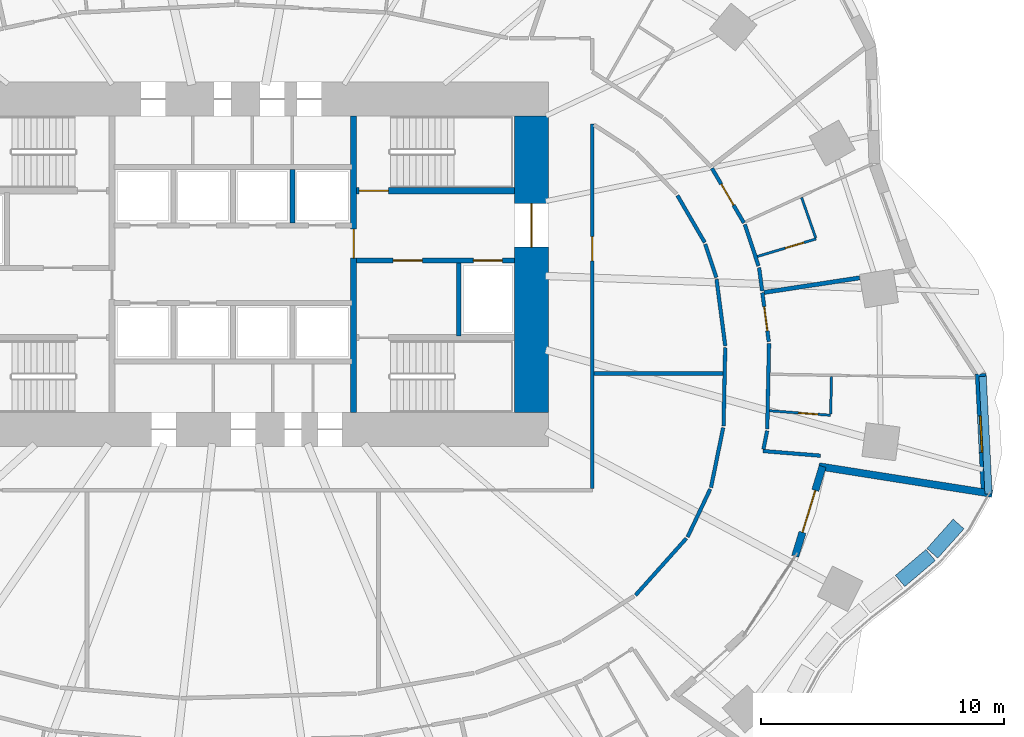
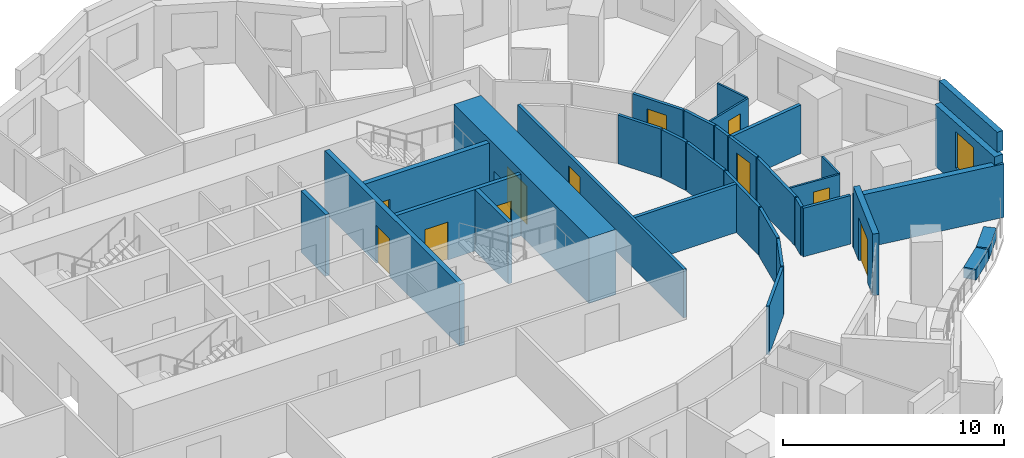
# One storey, part 8 of 14: 33 walls, 11 doors, 1 window, 12 openings.
"""IFC4 building model written with IfcOpenShell, lengths in metres."""

from ifc_helpers import new_model, si_unit, direction, frame, frame_2d, origin, place, context, subcontext, project, spatial, rectangle, extrude, material, layer, layer_set, type_object, element, fill, save


model = new_model("IFC4")

# Units and contexts
model_context = context("Model", 3, precision=1e-05, world=origin(), true_north=direction((0.0, 1.0)))
body_context = subcontext(model_context, "Body", "Model", "MODEL_VIEW")
ifc_project = project(units=[si_unit("LENGTHUNIT", "METRE"), si_unit("AREAUNIT", "SQUARE_METRE"), si_unit("VOLUMEUNIT", "CUBIC_METRE"), si_unit("PLANEANGLEUNIT", "RADIAN"), si_unit("MASSUNIT", "GRAM", prefix="KILO")], contexts=[model_context])

# Site, building, storey
site_placement = place(None, origin())
site = spatial("IfcSite", under=ifc_project, at=site_placement, CompositionType="ELEMENT")
building_placement = place(site_placement, origin())
building = spatial("IfcBuilding", under=site, at=building_placement, Name="Rubra Terraces Tower", CompositionType="ELEMENT")
storey_placement = place(building_placement, frame((0.0, 0.0, 62.699951171875)))
storey = spatial("IfcBuildingStorey", under=building, at=storey_placement, Name="L13", CompositionType="ELEMENT", Elevation=62.699951171875)

# Walls
ifc_material_1 = material(Name="Twin plasterboard on staggered steel stud, acoustic mineral wool", Category="steel")
ifc_layer_1 = layer(ifc_material_1, 0.175048828125)
ifc_layer_set_1 = layer_set([ifc_layer_1], Name="Twin plasterboard on staggered steel stud, acoustic mineral wool")
wall_type_1 = type_object("IfcWallType", Name="ACOUSTIC PARTY WALL 175", PredefinedType="PARTITIONING", material=ifc_layer_set_1)
wall_1_placement = place(storey_placement, frame((25.804443359375, 3.937744140625, 0.0), z_axis=(0.0, 0.0, 1.0), x_axis=(-0.988543004534, -0.150939485181, 0.0)))
element("IfcWall", 1, at=wall_1_placement, inside=storey, type_object=wall_type_1, Name="PARTITION", PredefinedType="PARTITIONING", context=body_context, shape_type="SweptSolid", body=[
    extrude(rectangle(XDim=3.972412109375, YDim=0.175048828125, at=frame_2d((1.986328125, 0.0))), origin(), (0.0, 0.0, 1.0), 2.679931640625),
])
wall_2_placement = place(storey_placement, frame((14.875, 0.0, 0.0), z_axis=(0.0, 0.0, 1.0), x_axis=(1.0, 0.0, 0.0)))
element("IfcWall", 2, at=wall_2_placement, inside=storey, type_object=wall_type_1, Name="PARTITION", PredefinedType="PARTITIONING", context=body_context, shape_type="SweptSolid", body=[
    extrude(rectangle(XDim=5.301025390625, YDim=0.175048828125, at=frame_2d((2.650390625, 0.0))), origin(), (0.0, 0.0, 1.0), 2.679931640625),
])

# Wall, opening, window
ifc_material_2 = material(Name="Brick masonry red-brown", Category="masonry")
ifc_layer_2 = layer(ifc_material_2, 0.449951171875)
ifc_layer_set_2 = layer_set([ifc_layer_2], Name="Brick masonry red-brown")
wall_type_2 = type_object("IfcWallType", Name="Brick facade wall 450", PredefinedType="SOLIDWALL", material=ifc_layer_set_2)
wall_3_placement = place(storey_placement, frame((31.041259765625, -4.96337890625, 0.0), z_axis=(0.0, 0.0, 1.0), x_axis=(-0.050222481563, 0.99873805492, 0.0)))
wall_3 = element("IfcWall", 3, at=wall_3_placement, inside=storey, type_object=wall_type_2, Name="Facade wall L13 bay 40", PredefinedType="SOLIDWALL", context=body_context, shape_type="SweptSolid", body=[
    extrude(rectangle(XDim=4.95849609375, YDim=0.449951171875, at=frame_2d((2.479248046875, 0.0))), origin(), (0.0, 0.0, 1.0), 3.400146484375),
])
opening_1_placement = place(wall_3_placement, frame((1.72900390625, 0.0, 0.89990234375)))
opening_1 = element("IfcOpeningElement", 4, at=opening_1_placement, cuts=wall_3, Name="Opening W7", PredefinedType="OPENING", context=body_context, shape_type="SweptSolid", body=[
    extrude(rectangle(XDim=1.5, YDim=2.0, at=frame_2d((0.75, 1.0))), frame((0.0, 0.23486328125, 0.0), z_axis=(0.0, -1.0, 0.0), x_axis=(1.0, 0.0, 0.0)), (0.0, 0.0, 1.0), 0.469970703125),
])
ifc_material_3 = material(Name="Clear glass in aluminium frame", Category="aluminium")
window_type = type_object("IfcWindowType", Name="Fixed deep-set window beside terrace 1500 x 2000", PartitioningType="SINGLE_PANEL", PredefinedType="WINDOW", material=ifc_material_3)
window_placement = place(opening_1_placement, origin())
window = element("IfcWindow", 5, at=window_placement, inside=storey, type_object=window_type, Name="Window L13 bay 40", OverallHeight=2.0, OverallWidth=1.5, PartitioningType="SINGLE_PANEL", PredefinedType="WINDOW", context=body_context, shape_type="SweptSolid", body=[
    extrude(rectangle(XDim=1.5, YDim=2.0, at=frame_2d((0.75, 1.0))), frame((0.0, 0.135009765625, 0.0), z_axis=(0.0, -1.0, 0.0), x_axis=(1.0, 0.0, 0.0)), (0.0, 0.0, 1.0), 0.06005859375),
])
fill(opening_1, window)

# Wall
ifc_layer_3 = layer(ifc_material_2, 0.300048828125)
ifc_layer_set_3 = layer_set([ifc_layer_3], Name="Brick masonry red-brown")
wall_type_3 = type_object("IfcWallType", Name="Brick parapet 300", PredefinedType="PARAPET", material=ifc_layer_set_3)
wall_4_placement = place(storey_placement, frame((31.1162109375, -4.95947265625, 3.60009765625), z_axis=(0.0, 0.0, 1.0), x_axis=(-0.05021140618, 0.998738611795, 0.0)))
element("IfcWall", 6, at=wall_4_placement, inside=storey, type_object=wall_type_3, Name="Parapet L13 bay 40", PredefinedType="PARAPET", context=body_context, shape_type="SweptSolid", body=[
    extrude(rectangle(XDim=4.84765625, YDim=0.300048828125, at=frame_2d((2.423828125, 0.0))), origin(), (0.0, 0.0, 1.0), 1.099853515625),
])

# Wall, opening, door
ifc_material_4 = material(Name="Concrete C70", Category="concrete")
ifc_layer_4 = layer(ifc_material_4, 1.39990234375)
ifc_layer_set_4 = layer_set([ifc_layer_4], Name="Concrete C70")
wall_type_4 = type_object("IfcWallType", Name="CORE WALL 1400 C70", PredefinedType="SHEAR", material=ifc_layer_set_4)
wall_5_placement = place(storey_placement, frame((12.300048828125, -1.60009765625, 0.0), z_axis=(0.0, 0.0, 1.0), x_axis=(0.0, 1.0, 0.0)))
wall_5 = element("IfcWall", 7, at=wall_5_placement, inside=storey, type_object=wall_type_4, Name="CORE WALL E L13", PredefinedType="SHEAR", context=body_context, shape_type="SweptSolid", body=[
    extrude(rectangle(XDim=12.2001953125, YDim=1.39990234375, at=frame_2d((6.10009765625, 0.0))), origin(), (0.0, 0.0, 1.0), 3.60009765625),
])
opening_2_placement = place(wall_5_placement, frame((6.800048828125, 0.0, 0.0)))
opening_2 = element("IfcOpeningElement", 8, at=opening_2_placement, cuts=wall_5, Name="Opening L13.C02", PredefinedType="OPENING", context=body_context, shape_type="SweptSolid", body=[
    extrude(rectangle(XDim=1.800048828125, YDim=2.10009765625, at=frame_2d((0.89990234375, 1.050048828125))), frame((0.0, 0.7099609375, 0.0), z_axis=(0.0, -1.0, 0.0), x_axis=(1.0, 0.0, 0.0)), (0.0, 0.0, 1.0), 1.419921875),
])
ifc_material_5 = material(Name="Painted steel", Category="steel")
door_type_1 = type_object("IfcDoorType", Name="Fire door 1800x2100 double", OperationType="NOTDEFINED", PredefinedType="DOOR", material=ifc_material_5)
door_1_placement = place(opening_2_placement, origin())
door_1 = element("IfcDoor", 9, at=door_1_placement, inside=storey, type_object=door_type_1, Name="Core entrance door FF2", OperationType="DOUBLE_DOOR_SINGLE_SWING", OverallHeight=2.10009765625, OverallWidth=1.800048828125, PredefinedType="DOOR", context=body_context, shape_type="SweptSolid", body=[
    extrude(rectangle(XDim=1.800048828125, YDim=2.10009765625, at=frame_2d((0.89990234375, 1.050048828125))), frame((0.0, 0.02490234375, 0.0), z_axis=(0.0, -1.0, 0.0), x_axis=(1.0, 0.0, 0.0)), (0.0, 0.0, 1.0), 0.050048828125),
])
fill(opening_2, door_1)

# Walls
ifc_material_6 = material(Name="Plasterboard on steel stud, mineral wool infill", Category="steel")
ifc_layer_5 = layer(ifc_material_6, 0.14990234375)
ifc_layer_set_5 = layer_set([ifc_layer_5], Name="Plasterboard on steel stud, mineral wool infill")
wall_type_5 = type_object("IfcWallType", Name="CORRIDOR PARTITION 150", PredefinedType="PARTITIONING", material=ifc_layer_set_5)
wall_6_placement = place(storey_placement, frame((24.2001953125, -3.3837890625, 0.0), z_axis=(0.0, 0.0, 1.0), x_axis=(-0.996744013328, 0.080631085167, 0.0)))
element("IfcWall", 10, at=wall_6_placement, inside=storey, type_object=wall_type_5, Name="PARTITION", PredefinedType="PARTITIONING", context=body_context, shape_type="SweptSolid", body=[
    extrude(rectangle(XDim=2.376953125, YDim=0.14990234375, at=frame_2d((1.1884765625, 0.0))), origin(), (0.0, 0.0, 1.0), 2.679931640625),
])
wall_7_placement = place(storey_placement, frame((21.845947265625, -3.11865234375, 0.0), z_axis=(0.0, 0.0, 1.0), x_axis=(0.19991696998, 0.979812841881, 0.0)))
element("IfcWall", 11, at=wall_7_placement, inside=storey, type_object=wall_type_5, Name="PARTITION", PredefinedType="PARTITIONING", context=body_context, shape_type="SweptSolid", body=[
    extrude(rectangle(XDim=0.77783203125, YDim=0.14990234375, at=frame_2d((0.388916015625, 0.0))), origin(), (0.0, 0.0, 1.0), 2.679931640625),
])
wall_8_placement = place(storey_placement, frame((22.003173828125, -2.281494140625, 0.0), z_axis=(0.0, 0.0, 1.0), x_axis=(0.021172866829, 0.999775829729, 0.0)))
element("IfcWall", 12, at=wall_8_placement, inside=storey, type_object=wall_type_5, Name="PARTITION", PredefinedType="PARTITIONING", context=body_context, shape_type="SweptSolid", body=[
    extrude(rectangle(XDim=3.516845703125, YDim=0.14990234375, at=frame_2d((1.75830078125, 0.0))), origin(), (0.0, 0.0, 1.0), 2.679931640625),
])

# Wall, opening, door
wall_9_placement = place(storey_placement, frame((22.06787109375, 1.30908203125, 0.0), z_axis=(0.0, 0.0, 1.0), x_axis=(-0.129923831537, 0.991523977521, 0.0)))
wall_9 = element("IfcWall", 13, at=wall_9_placement, inside=storey, type_object=wall_type_5, Name="PARTITION", PredefinedType="PARTITIONING", context=body_context, shape_type="SweptSolid", body=[
    extrude(rectangle(XDim=2.03515625, YDim=0.14990234375, at=frame_2d((1.017578125, 0.0))), origin(), (0.0, 0.0, 1.0), 2.679931640625),
])
opening_3_placement = place(wall_9_placement, frame((0.449951171875, 0.0, 0.0)))
opening_3 = element("IfcOpeningElement", 14, at=opening_3_placement, cuts=wall_9, Name="Opening 13-131", PredefinedType="OPENING", context=body_context, shape_type="SweptSolid", body=[
    extrude(rectangle(XDim=1.0, YDim=2.10009765625, at=frame_2d((0.5, 1.050048828125))), frame((0.0, 0.0849609375, 0.0), z_axis=(0.0, -1.0, 0.0), x_axis=(1.0, 0.0, 0.0)), (0.0, 0.0, 1.0), 0.169921875),
])
ifc_material_7 = material(Name="Painted timber door leaf", Category="wood")
door_type_2 = type_object("IfcDoorType", Name="ROOM DOOR 1000 X 2100", OperationType="SINGLE_SWING_LEFT", PredefinedType="DOOR", material=ifc_material_7)
door_2_placement = place(opening_3_placement, origin())
door_2 = element("IfcDoor", 15, at=door_2_placement, inside=storey, type_object=door_type_2, Name="DOOR 13-131", OperationType="SINGLE_SWING_RIGHT", OverallHeight=2.10009765625, OverallWidth=1.0, PredefinedType="DOOR", context=body_context, shape_type="SweptSolid", body=[
    extrude(rectangle(XDim=1.0, YDim=2.10009765625, at=frame_2d((0.5, 1.050048828125))), frame((0.0, 0.02490234375, 0.0), z_axis=(0.0, -1.0, 0.0), x_axis=(1.0, 0.0, 0.0)), (0.0, 0.0, 1.0), 0.050048828125),
])
fill(opening_3, door_2)

# Walls
wall_10_placement = place(storey_placement, frame((21.793701171875, 3.4013671875, 0.0), z_axis=(0.0, 0.0, 1.0), x_axis=(-0.129911835925, 0.991525549286, 0.0)))
element("IfcWall", 16, at=wall_10_placement, inside=storey, type_object=wall_type_5, Name="PARTITION", PredefinedType="PARTITIONING", context=body_context, shape_type="SweptSolid", body=[
    extrude(rectangle(XDim=0.966064453125, YDim=0.14990234375, at=frame_2d((0.48291015625, 0.0))), origin(), (0.0, 0.0, 1.0), 2.679931640625),
])
wall_11_placement = place(storey_placement, frame((21.644775390625, 4.430419921875, 0.0), z_axis=(0.0, 0.0, 1.0), x_axis=(-0.313700743044, 0.949521902756, 0.0)))
element("IfcWall", 17, at=wall_11_placement, inside=storey, type_object=wall_type_5, Name="PARTITION", PredefinedType="PARTITIONING", context=body_context, shape_type="SweptSolid", body=[
    extrude(rectangle(XDim=1.7978515625, YDim=0.14990234375, at=frame_2d((0.89892578125, 0.0))), origin(), (0.0, 0.0, 1.0), 2.679931640625),
])

# Wall, opening, door
wall_12_placement = place(storey_placement, frame((21.04296875, 6.2021484375, 0.0), z_axis=(0.0, 0.0, 1.0), x_axis=(-0.50523366897, 0.862982583682, 0.0)))
wall_12 = element("IfcWall", 18, at=wall_12_placement, inside=storey, type_object=wall_type_5, Name="PARTITION", PredefinedType="PARTITIONING", context=body_context, shape_type="SweptSolid", body=[
    extrude(rectangle(XDim=2.60546875, YDim=0.14990234375, at=frame_2d((1.302734375, 0.0))), origin(), (0.0, 0.0, 1.0), 2.679931640625),
])
opening_4_placement = place(wall_12_placement, frame((0.847900390625, 0.0, 0.0)))
opening_4 = element("IfcOpeningElement", 19, at=opening_4_placement, cuts=wall_12, Name="Opening 13-134", PredefinedType="OPENING", context=body_context, shape_type="SweptSolid", body=[
    extrude(rectangle(XDim=1.0, YDim=2.10009765625, at=frame_2d((0.5, 1.050048828125))), frame((0.0, 0.0849609375, 0.0), z_axis=(0.0, -1.0, 0.0), x_axis=(1.0, 0.0, 0.0)), (0.0, 0.0, 1.0), 0.169921875),
])
door_3_placement = place(opening_4_placement, origin())
door_3 = element("IfcDoor", 20, at=door_3_placement, inside=storey, type_object=door_type_2, Name="DOOR 13-134", OperationType="SINGLE_SWING_RIGHT", OverallHeight=2.10009765625, OverallWidth=1.0, PredefinedType="DOOR", context=body_context, shape_type="SweptSolid", body=[
    extrude(rectangle(XDim=1.0, YDim=2.10009765625, at=frame_2d((0.5, 1.050048828125))), frame((0.0, 0.02490234375, 0.0), z_axis=(0.0, -1.0, 0.0), x_axis=(1.0, 0.0, 0.0)), (0.0, 0.0, 1.0), 0.050048828125),
])
fill(opening_4, door_3)

# Walls
wall_13_placement = place(storey_placement, frame((18.306396484375, 7.329345703125, 0.0), z_axis=(0.0, 0.0, 1.0), x_axis=(0.502425081691, -0.864620747662, 0.0)))
element("IfcWall", 21, at=wall_13_placement, inside=storey, type_object=wall_type_5, Name="PARTITION", PredefinedType="PARTITIONING", context=body_context, shape_type="SweptSolid", body=[
    extrude(rectangle(XDim=2.2373046875, YDim=0.14990234375, at=frame_2d((1.11865234375, 0.0))), origin(), (0.0, 0.0, 1.0), 2.679931640625),
])
wall_14_placement = place(storey_placement, frame((19.453857421875, 5.32373046875, 0.0), z_axis=(0.0, 0.0, 1.0), x_axis=(0.313632756375, -0.949544361327, 0.0)))
element("IfcWall", 22, at=wall_14_placement, inside=storey, type_object=wall_type_5, Name="PARTITION", PredefinedType="PARTITIONING", context=body_context, shape_type="SweptSolid", body=[
    extrude(rectangle(XDim=1.440185546875, YDim=0.14990234375, at=frame_2d((0.72021484375, 0.0))), origin(), (0.0, 0.0, 1.0), 2.679931640625),
])
wall_15_placement = place(storey_placement, frame((19.915283203125, 3.882080078125, 0.0), z_axis=(0.0, 0.0, 1.0), x_axis=(0.129945947446, -0.991521079323, 0.0)))
element("IfcWall", 23, at=wall_15_placement, inside=storey, type_object=wall_type_5, Name="PARTITION", PredefinedType="PARTITIONING", context=body_context, shape_type="SweptSolid", body=[
    extrude(rectangle(XDim=2.769287109375, YDim=0.14990234375, at=frame_2d((1.384765625, 0.0))), origin(), (0.0, 0.0, 1.0), 2.679931640625),
])
wall_16_placement = place(storey_placement, frame((20.2734375, 1.061279296875, 0.0), z_axis=(0.0, 0.0, 1.0), x_axis=(-0.021166906337, -0.99977595594, 0.0)))
element("IfcWall", 24, at=wall_16_placement, inside=storey, type_object=wall_type_5, Name="PARTITION", PredefinedType="PARTITIONING", context=body_context, shape_type="SweptSolid", body=[
    extrude(rectangle(XDim=3.218017578125, YDim=0.14990234375, at=frame_2d((1.60888671875, 0.0))), origin(), (0.0, 0.0, 1.0), 2.679931640625),
])
wall_17_placement = place(storey_placement, frame((20.190185546875, -2.2294921875, 0.0), z_axis=(0.0, 0.0, 1.0), x_axis=(-0.199752828647, -0.97984631828, 0.0)))
element("IfcWall", 25, at=wall_17_placement, inside=storey, type_object=wall_type_5, Name="PARTITION", PredefinedType="PARTITIONING", context=body_context, shape_type="SweptSolid", body=[
    extrude(rectangle(XDim=2.5166015625, YDim=0.14990234375, at=frame_2d((1.25830078125, 0.0))), origin(), (0.0, 0.0, 1.0), 2.679931640625),
])
wall_18_placement = place(storey_placement, frame((19.6552734375, -4.76318359375, 0.0), z_axis=(0.0, 0.0, 1.0), x_axis=(-0.427965880464, -0.903794891089, 0.0)))
element("IfcWall", 26, at=wall_18_placement, inside=storey, type_object=wall_type_5, Name="PARTITION", PredefinedType="PARTITIONING", context=body_context, shape_type="SweptSolid", body=[
    extrude(rectangle(XDim=2.177978515625, YDim=0.14990234375, at=frame_2d((1.0888671875, 0.0))), origin(), (0.0, 0.0, 1.0), 2.679931640625),
])
wall_19_placement = place(storey_placement, frame((18.673095703125, -6.78759765625, 0.0), z_axis=(0.0, 0.0, 1.0), x_axis=(-0.666610670036, -0.745406073623, 0.0)))
element("IfcWall", 27, at=wall_19_placement, inside=storey, type_object=wall_type_5, Name="PARTITION", PredefinedType="PARTITIONING", context=body_context, shape_type="SweptSolid", body=[
    extrude(rectangle(XDim=3.138671875, YDim=0.14990234375, at=frame_2d((1.5693359375, 0.0))), origin(), (0.0, 0.0, 1.0), 2.679931640625),
])

# Wall, opening, door
wall_20_placement = place(storey_placement, frame((14.800048828125, -4.72509765625, 0.0), z_axis=(0.0, 0.0, 1.0), x_axis=(0.0, 1.0, 0.0)))
wall_20 = element("IfcWall", 28, at=wall_20_placement, inside=storey, type_object=wall_type_5, Name="PARTITION", PredefinedType="PARTITIONING", context=body_context, shape_type="SweptSolid", body=[
    extrude(rectangle(XDim=15.00830078125, YDim=0.14990234375, at=frame_2d((7.504150390625, 0.0))), origin(), (0.0, 0.0, 1.0), 2.679931640625),
])
opening_5_placement = place(wall_20_placement, frame((9.365966796875, 0.0, 0.0)))
opening_5 = element("IfcOpeningElement", 29, at=opening_5_placement, cuts=wall_20, Name="Opening 13-139", PredefinedType="OPENING", context=body_context, shape_type="SweptSolid", body=[
    extrude(rectangle(XDim=1.0, YDim=2.10009765625, at=frame_2d((0.5, 1.050048828125))), frame((0.0, 0.0849609375, 0.0), z_axis=(0.0, -1.0, 0.0), x_axis=(1.0, 0.0, 0.0)), (0.0, 0.0, 1.0), 0.169921875),
])
door_4_placement = place(opening_5_placement, origin())
door_4 = element("IfcDoor", 30, at=door_4_placement, inside=storey, type_object=door_type_2, Name="DOOR 13-139", OperationType="SINGLE_SWING_RIGHT", OverallHeight=2.10009765625, OverallWidth=1.0, PredefinedType="DOOR", context=body_context, shape_type="SweptSolid", body=[
    extrude(rectangle(XDim=1.0, YDim=2.10009765625, at=frame_2d((0.5, 1.050048828125))), frame((0.0, 0.02490234375, 0.0), z_axis=(0.0, -1.0, 0.0), x_axis=(1.0, 0.0, 0.0)), (0.0, 0.0, 1.0), 0.050048828125),
])
fill(opening_5, door_4)

# Wall, openings, doors
ifc_material_8 = material(Name="Concrete C30", Category="concrete")
ifc_layer_6 = layer(ifc_material_8, 0.199951171875)
ifc_layer_set_6 = layer_set([ifc_layer_6], Name="Concrete C30")
wall_type_6 = type_object("IfcWallType", Name="Core wall 200 concrete", PredefinedType="SOLIDWALL", material=ifc_layer_set_6)
wall_21_placement = place(storey_placement, frame((11.60009765625, 4.64990234375, 0.0), z_axis=(0.0, 0.0, 1.0), x_axis=(-1.0, 0.0, 0.0)))
wall_21 = element("IfcWall", 31, at=wall_21_placement, inside=storey, type_object=wall_type_6, Name="STAIR WALL L13", PredefinedType="SOLIDWALL", context=body_context, shape_type="SweptSolid", body=[
    extrude(rectangle(XDim=6.5, YDim=0.199951171875, at=frame_2d((3.25, 0.0))), origin(), (0.0, 0.0, 1.0), 3.400146484375),
])
opening_6_placement = place(wall_21_placement, frame((3.800048828125, 0.0, 0.0)))
opening_6 = element("IfcOpeningElement", 32, at=opening_6_placement, cuts=wall_21, Name="Opening L13.C06", PredefinedType="OPENING", context=body_context, shape_type="SweptSolid", body=[
    extrude(rectangle(XDim=1.199951171875, YDim=2.10009765625, at=frame_2d((0.60009765625, 1.050048828125))), frame((0.0, 0.10986328125, 0.0), z_axis=(0.0, -1.0, 0.0), x_axis=(1.0, 0.0, 0.0)), (0.0, 0.0, 1.0), 0.219970703125),
])
opening_7_placement = place(wall_21_placement, frame((0.5, 0.0, 0.0)))
opening_7 = element("IfcOpeningElement", 33, at=opening_7_placement, cuts=wall_21, Name="Opening L13.C12", PredefinedType="OPENING", context=body_context, shape_type="SweptSolid", body=[
    extrude(rectangle(XDim=1.199951171875, YDim=2.10009765625, at=frame_2d((0.60009765625, 1.050048828125))), frame((0.0, 0.10986328125, 0.0), z_axis=(0.0, -1.0, 0.0), x_axis=(1.0, 0.0, 0.0)), (0.0, 0.0, 1.0), 0.219970703125),
])
door_type_3 = type_object("IfcDoorType", Name="Fire door 1200x2100 single", OperationType="NOTDEFINED", PredefinedType="DOOR", material=ifc_material_5)
door_5_placement = place(opening_6_placement, origin())
door_5 = element("IfcDoor", 34, at=door_5_placement, inside=storey, type_object=door_type_3, Name="Stair vestibule door S4", OperationType="SINGLE_SWING_RIGHT", OverallHeight=2.10009765625, OverallWidth=1.199951171875, PredefinedType="DOOR", context=body_context, shape_type="SweptSolid", body=[
    extrude(rectangle(XDim=1.199951171875, YDim=2.10009765625, at=frame_2d((0.60009765625, 1.050048828125))), frame((0.0, 0.02490234375, 0.0), z_axis=(0.0, -1.0, 0.0), x_axis=(1.0, 0.0, 0.0)), (0.0, 0.0, 1.0), 0.050048828125),
])
fill(opening_6, door_5)
ifc_material_9 = material(Name="Stainless steel", Category="steel")
door_type_4 = type_object("IfcDoorType", Name="Lift landing door 1200x2100", OperationType="NOTDEFINED", PredefinedType="DOOR", material=ifc_material_9)
door_6_placement = place(opening_7_placement, origin())
door_6 = element("IfcDoor", 35, at=door_6_placement, inside=storey, type_object=door_type_4, Name="Landing door FF2", OperationType="SLIDING_TO_RIGHT", OverallHeight=2.10009765625, OverallWidth=1.199951171875, PredefinedType="DOOR", context=body_context, shape_type="SweptSolid", body=[
    extrude(rectangle(XDim=1.199951171875, YDim=2.10009765625, at=frame_2d((0.60009765625, 1.050048828125))), frame((0.0, 0.02490234375, 0.0), z_axis=(0.0, -1.0, 0.0), x_axis=(1.0, 0.0, 0.0)), (0.0, 0.0, 1.0), 0.050048828125),
])
fill(opening_7, door_6)

# Walls
wall_22_placement = place(storey_placement, frame((9.300048828125, 4.550048828125, 0.0), z_axis=(0.0, 0.0, 1.0), x_axis=(0.0, -1.0, 0.0)))
element("IfcWall", 36, at=wall_22_placement, inside=storey, type_object=wall_type_6, Name="STAIR WALL L13", PredefinedType="SOLIDWALL", context=body_context, shape_type="SweptSolid", body=[
    extrude(rectangle(XDim=3.0, YDim=0.199951171875, at=frame_2d((1.5, 0.0))), origin(), (0.0, 0.0, 1.0), 3.400146484375),
])
wall_23_placement = place(storey_placement, frame((2.449951171875, 6.199951171875, 0.0), z_axis=(0.0, 0.0, 1.0), x_axis=(0.0, 1.0, 0.0)))
element("IfcWall", 37, at=wall_23_placement, inside=storey, type_object=wall_type_6, Name="LIFT SHAFT WALL L13", PredefinedType="SOLIDWALL", context=body_context, shape_type="SweptSolid", body=[
    extrude(rectangle(XDim=2.199951171875, YDim=0.199951171875, at=frame_2d((1.10009765625, 0.0))), origin(), (0.0, 0.0, 1.0), 3.400146484375),
])
ifc_material_10 = material(Name="Brick masonry with ochre lime render", Category="masonry")
ifc_layer_7 = layer(ifc_material_10, 0.300048828125)
ifc_layer_set_7 = layer_set([ifc_layer_7], Name="Brick masonry with ochre lime render")
wall_type_7 = type_object("IfcWallType", Name="Ochre rendered brick wall 300", PredefinedType="SOLIDWALL", material=ifc_layer_set_7)
wall_24_placement = place(storey_placement, frame((31.26611328125, -4.951904296875, 0.0), z_axis=(0.0, 0.0, 1.0), x_axis=(-0.987694094153, 0.156398134182, 0.0)))
element("IfcWall", 38, at=wall_24_placement, inside=storey, type_object=wall_type_7, Name="Terrace side wall L13.2", PredefinedType="SOLIDWALL", context=body_context, shape_type="SweptSolid", body=[
    extrude(rectangle(XDim=7.224365234375, YDim=0.300048828125, at=frame_2d((3.6123046875, 0.0))), origin(), (0.0, 0.0, 1.0), 2.9541015625),
])

# Wall, opening, door
ifc_layer_8 = layer(ifc_material_10, 0.300048828125)
ifc_layer_set_8 = layer_set([ifc_layer_8], Name="Brick masonry with ochre lime render")
wall_type_8 = type_object("IfcWallType", Name="Ochre rendered brick wall 300, head to beam soffit B", PredefinedType="SOLIDWALL", material=ifc_layer_set_8)
wall_25_placement = place(storey_placement, frame((23.153564453125, -7.526123046875, 0.0), z_axis=(0.0, 0.0, 1.0), x_axis=(0.291992516149, 0.95642060335, 0.0)))
wall_25 = element("IfcWall", 39, at=wall_25_placement, inside=storey, type_object=wall_type_8, Name="Terrace wall L13 bay 39", PredefinedType="SOLIDWALL", context=body_context, shape_type="SweptSolid", body=[
    extrude(rectangle(XDim=3.86962890625, YDim=0.300048828125, at=frame_2d((1.934814453125, 0.0))), origin(), (0.0, 0.0, 1.0), 3.400146484375),
])
opening_8_placement = place(wall_25_placement, frame((1.034912109375, 0.0, 0.0)))
opening_8 = element("IfcOpeningElement", 40, at=opening_8_placement, cuts=wall_25, Name="Opening T13.2", PredefinedType="OPENING", context=body_context, shape_type="SweptSolid", body=[
    extrude(rectangle(XDim=1.800048828125, YDim=2.39990234375, at=frame_2d((0.89990234375, 1.199951171875))), frame((0.0, 0.159912109375, 0.0), z_axis=(0.0, -1.0, 0.0), x_axis=(1.0, 0.0, 0.0)), (0.0, 0.0, 1.0), 0.320068359375),
])
ifc_material_11 = material(Name="Glazed aluminium door leaf", Category="aluminium")
door_type_5 = type_object("IfcDoorType", Name="Terrace double door 1800 x 2400", OperationType="DOUBLE_DOOR_DOUBLE_SWING", PredefinedType="DOOR", material=ifc_material_11)
door_7_placement = place(opening_8_placement, origin())
door_7 = element("IfcDoor", 41, at=door_7_placement, inside=storey, type_object=door_type_5, Name="Terrace door L13.2", OperationType="DOUBLE_DOOR_DOUBLE_SWING", OverallHeight=2.39990234375, OverallWidth=1.800048828125, PredefinedType="DOOR", context=body_context, shape_type="SweptSolid", body=[
    extrude(rectangle(XDim=1.800048828125, YDim=2.39990234375, at=frame_2d((0.89990234375, 1.199951171875))), frame((0.0, 0.02490234375, 0.0), z_axis=(0.0, -1.0, 0.0), x_axis=(1.0, 0.0, 0.0)), (0.0, 0.0, 1.0), 0.050048828125),
])
fill(opening_8, door_7)

# Walls
ifc_layer_9 = layer(ifc_material_10, 0.60009765625)
ifc_layer_set_9 = layer_set([ifc_layer_9], Name="Brick masonry with ochre lime render")
wall_type_9 = type_object("IfcWallType", Name="Planter box 600", PredefinedType="SOLIDWALL", material=ifc_layer_set_9)
wall_26_placement = place(storey_placement, frame((27.473876953125, -8.543212890625, 0.0), z_axis=(0.0, 0.0, 1.0), x_axis=(0.761997748553, 0.647579671701, 0.0)))
element("IfcWall", 42, at=wall_26_placement, inside=storey, type_object=wall_type_9, Name="Planter L13.14", PredefinedType="SOLIDWALL", context=body_context, shape_type="SweptSolid", body=[
    extrude(rectangle(XDim=1.6494140625, YDim=0.60009765625, at=frame_2d((0.82470703125, 0.0))), origin(), (0.0, 0.0, 1.0), 0.60009765625),
])
wall_27_placement = place(storey_placement, frame((28.802001953125, -7.405517578125, 0.0), z_axis=(0.0, 0.0, 1.0), x_axis=(0.665456226931, 0.746436876125, 0.0)))
element("IfcWall", 43, at=wall_27_placement, inside=storey, type_object=wall_type_9, Name="Planter L13.15", PredefinedType="SOLIDWALL", context=body_context, shape_type="SweptSolid", body=[
    extrude(rectangle(XDim=1.6220703125, YDim=0.60009765625, at=frame_2d((0.81103515625, 0.0))), origin(), (0.0, 0.0, 1.0), 0.60009765625),
])

# Wall, opening, door
ifc_material_12 = material(Name="Plasterboard on steel stud", Category="steel")
ifc_layer_10 = layer(ifc_material_12, 0.10009765625)
ifc_layer_set_10 = layer_set([ifc_layer_10], Name="Plasterboard on steel stud")
wall_type_10 = type_object("IfcWallType", Name="ROOM PARTITION 100", PredefinedType="PARTITIONING", material=ifc_layer_set_10)
wall_28_placement = place(storey_placement, frame((22.09375, -1.53369140625, 0.0), z_axis=(0.0, 0.0, 1.0), x_axis=(0.99730377649, -0.073383767945, 0.0)))
wall_28 = element("IfcWall", 44, at=wall_28_placement, inside=storey, type_object=wall_type_10, Name="PARTITION", PredefinedType="PARTITIONING", context=body_context, shape_type="SweptSolid", body=[
    extrude(rectangle(XDim=2.525146484375, YDim=0.10009765625, at=frame_2d((1.2626953125, 0.0))), origin(), (0.0, 0.0, 1.0), 2.679931640625),
])
opening_9_placement = place(wall_28_placement, frame((1.199951171875, 0.0, 0.0)))
opening_9 = element("IfcOpeningElement", 45, at=opening_9_placement, cuts=wall_28, Name="Opening 13-129", PredefinedType="OPENING", context=body_context, shape_type="SweptSolid", body=[
    extrude(rectangle(XDim=0.800048828125, YDim=2.10009765625, at=frame_2d((0.39990234375, 1.050048828125))), frame((0.0, 0.06005859375, 0.0), z_axis=(0.0, -1.0, 0.0), x_axis=(1.0, 0.0, 0.0)), (0.0, 0.0, 1.0), 0.1201171875),
])
door_type_6 = type_object("IfcDoorType", Name="BATHROOM DOOR 800 X 2100", OperationType="SINGLE_SWING_LEFT", PredefinedType="DOOR", material=ifc_material_7)
door_8_placement = place(opening_9_placement, origin())
door_8 = element("IfcDoor", 46, at=door_8_placement, inside=storey, type_object=door_type_6, Name="DOOR 13-129", OperationType="SINGLE_SWING_LEFT", OverallHeight=2.10009765625, OverallWidth=0.800048828125, PredefinedType="DOOR", context=body_context, shape_type="SweptSolid", body=[
    extrude(rectangle(XDim=0.800048828125, YDim=2.10009765625, at=frame_2d((0.39990234375, 1.050048828125))), frame((0.0, 0.02490234375, 0.0), z_axis=(0.0, -1.0, 0.0), x_axis=(1.0, 0.0, 0.0)), (0.0, 0.0, 1.0), 0.050048828125),
])
fill(opening_9, door_8)

# Wall
wall_29_placement = place(storey_placement, frame((24.61328125, -1.669189453125, 0.0), z_axis=(0.0, 0.0, 1.0), x_axis=(0.023209160262, 0.99973063116, 0.0)))
element("IfcWall", 47, at=wall_29_placement, inside=storey, type_object=wall_type_10, Name="PARTITION", PredefinedType="PARTITIONING", context=body_context, shape_type="SweptSolid", body=[
    extrude(rectangle(XDim=1.54638671875, YDim=0.10009765625, at=frame_2d((0.773193359375, 0.0))), origin(), (0.0, 0.0, 1.0), 2.679931640625),
])

# Wall, opening, door
wall_30_placement = place(storey_placement, frame((21.59521484375, 4.819091796875, 0.0), z_axis=(0.0, 0.0, 1.0), x_axis=(0.958232459865, 0.285990476872, 0.0)))
wall_30 = element("IfcWall", 48, at=wall_30_placement, inside=storey, type_object=wall_type_10, Name="PARTITION", PredefinedType="PARTITIONING", context=body_context, shape_type="SweptSolid", body=[
    extrude(rectangle(XDim=2.525146484375, YDim=0.10009765625, at=frame_2d((1.2626953125, 0.0))), origin(), (0.0, 0.0, 1.0), 2.679931640625),
])
opening_10_placement = place(wall_30_placement, frame((1.199951171875, 0.0, 0.0)))
opening_10 = element("IfcOpeningElement", 49, at=opening_10_placement, cuts=wall_30, Name="Opening 13-132", PredefinedType="OPENING", context=body_context, shape_type="SweptSolid", body=[
    extrude(rectangle(XDim=0.800048828125, YDim=2.10009765625, at=frame_2d((0.39990234375, 1.050048828125))), frame((0.0, 0.06005859375, 0.0), z_axis=(0.0, -1.0, 0.0), x_axis=(1.0, 0.0, 0.0)), (0.0, 0.0, 1.0), 0.1201171875),
])
door_9_placement = place(opening_10_placement, origin())
door_9 = element("IfcDoor", 50, at=door_9_placement, inside=storey, type_object=door_type_6, Name="DOOR 13-132", OperationType="SINGLE_SWING_LEFT", OverallHeight=2.10009765625, OverallWidth=0.800048828125, PredefinedType="DOOR", context=body_context, shape_type="SweptSolid", body=[
    extrude(rectangle(XDim=0.800048828125, YDim=2.10009765625, at=frame_2d((0.39990234375, 1.050048828125))), frame((0.0, 0.02490234375, 0.0), z_axis=(0.0, -1.0, 0.0), x_axis=(1.0, 0.0, 0.0)), (0.0, 0.0, 1.0), 0.050048828125),
])
fill(opening_10, door_9)

# Wall
wall_31_placement = place(storey_placement, frame((23.998291015625, 5.58837890625, 0.0), z_axis=(0.0, 0.0, 1.0), x_axis=(-0.33036280106, 0.943854024559, 0.0)))
element("IfcWall", 51, at=wall_31_placement, inside=storey, type_object=wall_type_10, Name="PARTITION", PredefinedType="PARTITIONING", context=body_context, shape_type="SweptSolid", body=[
    extrude(rectangle(XDim=1.75732421875, YDim=0.10009765625, at=frame_2d((0.878662109375, 0.0))), origin(), (0.0, 0.0, 1.0), 2.679931640625),
])

# Wall, opening, door
ifc_material_13 = material(Name="Concrete C40", Category="concrete")
ifc_layer_11 = layer(ifc_material_13, 0.25)
ifc_layer_set_11 = layer_set([ifc_layer_11], Name="Concrete C40")
wall_type_11 = type_object("IfcWallType", Name="Stair enclosure wall 250 concrete", PredefinedType="SOLIDWALL", material=ifc_layer_set_11)
wall_32_placement = place(storey_placement, frame((11.60009765625, 7.52490234375, 0.0), z_axis=(0.0, 0.0, 1.0), x_axis=(-1.0, 0.0, 0.0)))
wall_32 = element("IfcWall", 52, at=wall_32_placement, inside=storey, type_object=wall_type_11, Name="STAIR WALL L13", PredefinedType="SOLIDWALL", context=body_context, shape_type="SweptSolid", body=[
    extrude(rectangle(XDim=6.5, YDim=0.25, at=frame_2d((3.25, 0.0))), origin(), (0.0, 0.0, 1.0), 3.400146484375),
])
opening_11_placement = place(wall_32_placement, frame((5.199951171875, 0.0, 0.0)))
opening_11 = element("IfcOpeningElement", 53, at=opening_11_placement, cuts=wall_32, Name="Opening L13.C08", PredefinedType="OPENING", context=body_context, shape_type="SweptSolid", body=[
    extrude(rectangle(XDim=1.199951171875, YDim=2.10009765625, at=frame_2d((0.60009765625, 1.050048828125))), frame((0.0, 0.135009765625, 0.0), z_axis=(0.0, -1.0, 0.0), x_axis=(1.0, 0.0, 0.0)), (0.0, 0.0, 1.0), 0.27001953125),
])
door_10_placement = place(opening_11_placement, origin())
door_10 = element("IfcDoor", 54, at=door_10_placement, inside=storey, type_object=door_type_3, Name="Stair door S3", OperationType="SINGLE_SWING_RIGHT", OverallHeight=2.10009765625, OverallWidth=1.199951171875, PredefinedType="DOOR", context=body_context, shape_type="SweptSolid", body=[
    extrude(rectangle(XDim=1.199951171875, YDim=2.10009765625, at=frame_2d((0.60009765625, 1.050048828125))), frame((0.0, 0.02490234375, 0.0), z_axis=(0.0, -1.0, 0.0), x_axis=(1.0, 0.0, 0.0)), (0.0, 0.0, 1.0), 0.050048828125),
])
fill(opening_11, door_10)

wall_33_placement = place(storey_placement, frame((4.97509765625, 10.60009765625, 0.0), z_axis=(0.0, 0.0, 1.0), x_axis=(0.0, -1.0, 0.0)))
wall_33 = element("IfcWall", 55, at=wall_33_placement, inside=storey, type_object=wall_type_11, Name="CORE LOBBY WALL L13", PredefinedType="SOLIDWALL", context=body_context, shape_type="SweptSolid", body=[
    extrude(rectangle(XDim=12.2001953125, YDim=0.25, at=frame_2d((6.10009765625, 0.0))), origin(), (0.0, 0.0, 1.0), 3.400146484375),
])
opening_12_placement = place(wall_33_placement, frame((4.64990234375, 0.0, 0.0)))
opening_12 = element("IfcOpeningElement", 56, at=opening_12_placement, cuts=wall_33, Name="Opening L13.C04", PredefinedType="OPENING", context=body_context, shape_type="SweptSolid", body=[
    extrude(rectangle(XDim=1.199951171875, YDim=2.10009765625, at=frame_2d((0.60009765625, 1.050048828125))), frame((0.0, 0.135009765625, 0.0), z_axis=(0.0, -1.0, 0.0), x_axis=(1.0, 0.0, 0.0)), (0.0, 0.0, 1.0), 0.27001953125),
])
door_11_placement = place(opening_12_placement, origin())
door_11 = element("IfcDoor", 57, at=door_11_placement, inside=storey, type_object=door_type_3, Name="Firefighting lobby door FF2", OperationType="SINGLE_SWING_RIGHT", OverallHeight=2.10009765625, OverallWidth=1.199951171875, PredefinedType="DOOR", context=body_context, shape_type="SweptSolid", body=[
    extrude(rectangle(XDim=1.199951171875, YDim=2.10009765625, at=frame_2d((0.60009765625, 1.050048828125))), frame((0.0, 0.02490234375, 0.0), z_axis=(0.0, -1.0, 0.0), x_axis=(1.0, 0.0, 0.0)), (0.0, 0.0, 1.0), 0.050048828125),
])
fill(opening_12, door_11)

save(model, "model.ifc")
